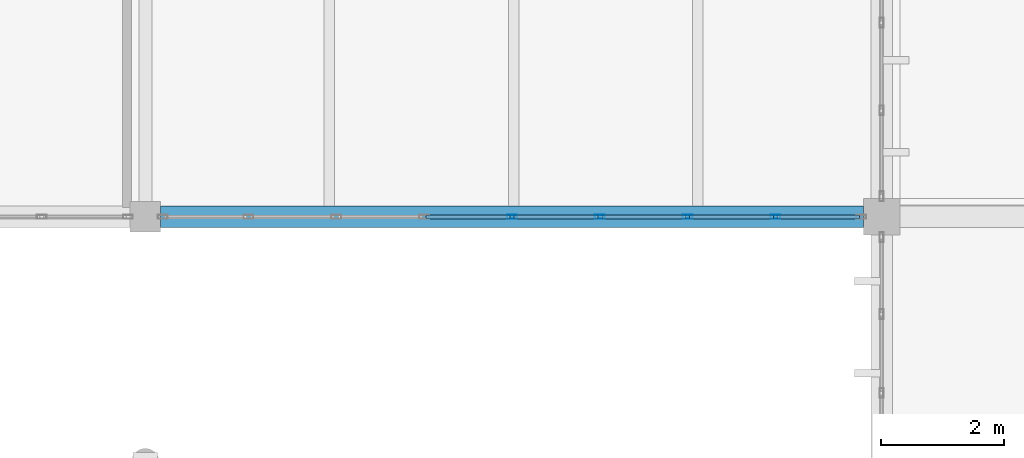
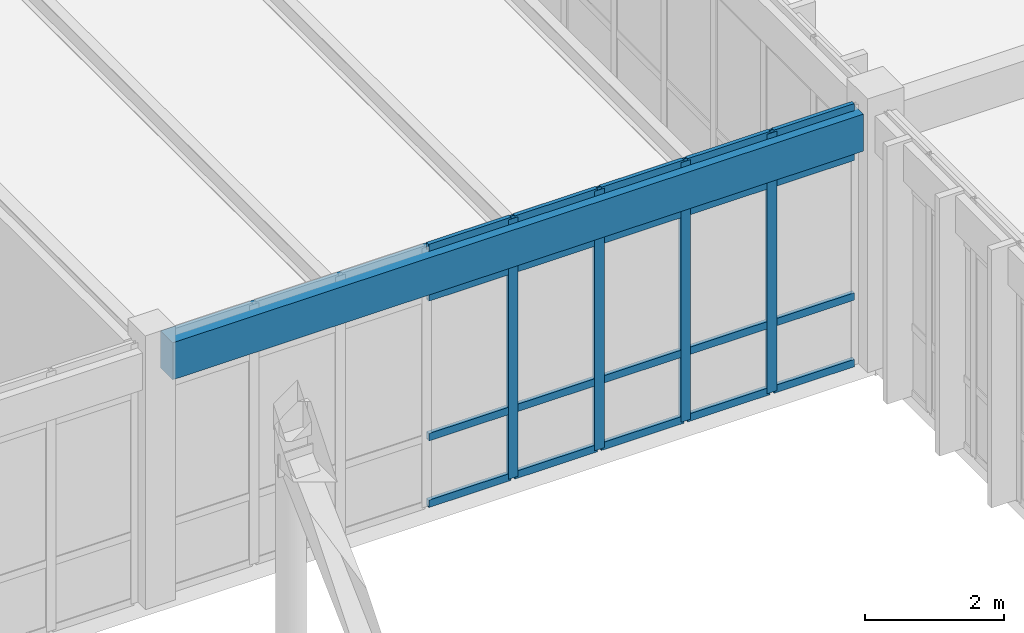
# One storey, part 172 of 236: 24 members, 1 beam, 1 element without a shape of its own.
"""IFC4 building model written with IfcOpenShell, lengths in metres."""

from ifc_helpers import new_model, si_unit, direction, frame, origin, origin_2d, place, context, subcontext, project, spatial, rectangle, hollow_rectangle, extrude, material, layer, layer_set, material_profile, profile_set, type_object, element, aggregate, save


model = new_model("IFC4")

# Units and contexts
model_context = context("Model", 3, precision=1e-05, world=origin(), true_north=direction((0.0, 1.0)))
body_context = subcontext(model_context, "Body", "Model", "MODEL_VIEW")
ifc_project = project(units=[si_unit("LENGTHUNIT", "METRE"), si_unit("AREAUNIT", "SQUARE_METRE"), si_unit("VOLUMEUNIT", "CUBIC_METRE"), si_unit("PLANEANGLEUNIT", "RADIAN"), si_unit("MASSUNIT", "GRAM", prefix="KILO")], contexts=[model_context])

# Site, building, storey
site_placement = place(None, origin())
site = spatial("IfcSite", under=ifc_project, at=site_placement, CompositionType="ELEMENT")
building_placement = place(site_placement, origin())
building = spatial("IfcBuilding", under=site, at=building_placement, Name="Pandanus Reach Market Hall", CompositionType="ELEMENT")
storey_placement = place(building_placement, frame((0.0, 0.0, 5.39990234375)))
storey = spatial("IfcBuildingStorey", under=building, at=storey_placement, Name="L01", CompositionType="ELEMENT", Elevation=5.39990234375)

# Beam
ifc_material_1 = material(Name="Concrete N40 (40 MPa)", Category="concrete")
ifc_material_profile_1 = material_profile(ifc_material_1, rectangle(XDim=0.35009765625, YDim=0.64990234375, at=origin_2d()), Name="RC350x650", Category="LoadBearing")
ifc_profile_set_1 = profile_set([ifc_material_profile_1], Name="Concrete N40 (40 MPa)")
beam_type = type_object("IfcBeamType", Name="BM-RC350-E", PredefinedType="SPANDREL", material=ifc_profile_set_1)
beam_placement = place(storey_placement, frame((132.248046875, 96.0, 4.135009765625), z_axis=(1.0, 0.0, 0.0), x_axis=(0.0, 1.0, 0.0)))
element("IfcBeam", 1, at=beam_placement, inside=storey, type_object=beam_type, Name="Framing beam BM-RC350-E L01.854", PredefinedType="SPANDREL", context=body_context, shape_type="SweptSolid", body=[
    extrude(rectangle(XDim=0.35009765625, YDim=0.64990234375, at=origin_2d()), origin(), (0.0, 0.0, 1.0), 11.453857421875),
])

# Curtain wall, members
ifc_material_2 = material(Name="Bronze anodised aluminium and low-E glass", Category="aluminium")
ifc_layer = layer(ifc_material_2, 0.159912109375, Name="CW-40")
ifc_layer_set = layer_set([ifc_layer], Name="Bronze anodised aluminium and low-E glass")
curtain_wall_type = type_object("IfcCurtainWallType", Name="CW-40", PredefinedType="NOTDEFINED", material=ifc_layer_set)
curtain_wall_placement = place(storey_placement, origin())
curtain_wall = element("IfcCurtainWall", 2, at=curtain_wall_placement, inside=storey, type_object=curtain_wall_type, Name="Glazed curtain wall CW-40 CW-0145", PredefinedType="NOTDEFINED")
ifc_material_3 = material(Name="Bronze anodised aluminium", Category="aluminium")
ifc_material_profile_2 = material_profile(ifc_material_3, hollow_rectangle(XDim=0.06494140625, YDim=0.159912109375, WallThickness=0.00390625, at=origin_2d()), Name="ALU65x160", Category="LoadBearing")
ifc_profile_set_2 = profile_set([ifc_material_profile_2], Name="Bronze anodised aluminium")
member_type_1 = type_object("IfcMemberType", Name="CW-M1", PredefinedType="MULLION", material=ifc_profile_set_2)
member_1_placement = place(storey_placement, frame((137.97509765625, 96.0, 0.0), z_axis=(0.0, 0.0, 1.0), x_axis=(0.0, 1.0, 0.0)))
member_1 = element("IfcMember", 3, at=member_1_placement, type_object=member_type_1, Name="CW-40 mullion 5", PredefinedType="MULLION", context=body_context, shape_type="SweptSolid", body=[
    extrude(hollow_rectangle(XDim=0.06494140625, YDim=0.159912109375, WallThickness=0.00390625, at=origin_2d()), origin(), (0.0, 0.0, 1.0), 4.550048828125),
])
member_2_placement = place(storey_placement, frame((139.40625, 96.0, 0.0), z_axis=(0.0, 0.0, 1.0), x_axis=(0.0, 1.0, 0.0)))
member_2 = element("IfcMember", 4, at=member_2_placement, type_object=member_type_1, Name="CW-40 mullion 6", PredefinedType="MULLION", context=body_context, shape_type="SweptSolid", body=[
    extrude(hollow_rectangle(XDim=0.06494140625, YDim=0.159912109375, WallThickness=0.00390625, at=origin_2d()), origin(), (0.0, 0.0, 1.0), 4.550048828125),
])
member_3_placement = place(storey_placement, frame((140.83740234375, 96.0, 0.0), z_axis=(0.0, 0.0, 1.0), x_axis=(0.0, 1.0, 0.0)))
member_3 = element("IfcMember", 5, at=member_3_placement, type_object=member_type_1, Name="CW-40 mullion 7", PredefinedType="MULLION", context=body_context, shape_type="SweptSolid", body=[
    extrude(hollow_rectangle(XDim=0.06494140625, YDim=0.159912109375, WallThickness=0.00390625, at=origin_2d()), origin(), (0.0, 0.0, 1.0), 4.550048828125),
])
member_4_placement = place(storey_placement, frame((142.268798828125, 96.0, 0.0), z_axis=(0.0, 0.0, 1.0), x_axis=(0.0, 1.0, 0.0)))
member_4 = element("IfcMember", 6, at=member_4_placement, type_object=member_type_1, Name="CW-40 mullion 8", PredefinedType="MULLION", context=body_context, shape_type="SweptSolid", body=[
    extrude(hollow_rectangle(XDim=0.06494140625, YDim=0.159912109375, WallThickness=0.00390625, at=origin_2d()), origin(), (0.0, 0.0, 1.0), 4.550048828125),
])
ifc_material_profile_3 = material_profile(ifc_material_3, hollow_rectangle(XDim=0.06494140625, YDim=0.1298828125, WallThickness=0.00390625, at=origin_2d()), Name="ALU65x130", Category="LoadBearing")
ifc_profile_set_3 = profile_set([ifc_material_profile_3], Name="Bronze anodised aluminium")
member_type_2 = type_object("IfcMemberType", Name="CW-T1", PredefinedType="USERDEFINED", material=ifc_profile_set_3)
member_5_placement = place(storey_placement, frame((136.576171875, 96.0, 0.03271484375), z_axis=(1.0, 0.0, 0.0), x_axis=(0.0, 1.0, 0.0)))
member_5 = element("IfcMember", 7, at=member_5_placement, type_object=member_type_2, Name="CW-40 transom 4.1", ObjectType="TRANSOM", PredefinedType="USERDEFINED", context=body_context, shape_type="SweptSolid", body=[
    extrude(hollow_rectangle(XDim=0.06494140625, YDim=0.1298828125, WallThickness=0.00390625, at=origin_2d()), origin(), (0.0, 0.0, 1.0), 1.3662109375),
])
member_6_placement = place(storey_placement, frame((136.576171875, 96.0, 1.2001953125), z_axis=(1.0, 0.0, 0.0), x_axis=(0.0, 1.0, 0.0)))
member_6 = element("IfcMember", 8, at=member_6_placement, type_object=member_type_2, Name="CW-40 transom 4.2", ObjectType="TRANSOM", PredefinedType="USERDEFINED", context=body_context, shape_type="SweptSolid", body=[
    extrude(hollow_rectangle(XDim=0.06494140625, YDim=0.1298828125, WallThickness=0.00390625, at=origin_2d()), origin(), (0.0, 0.0, 1.0), 1.3662109375),
])
member_7_placement = place(storey_placement, frame((136.576171875, 96.0, 3.650146484375), z_axis=(1.0, 0.0, 0.0), x_axis=(0.0, 1.0, 0.0)))
member_7 = element("IfcMember", 9, at=member_7_placement, type_object=member_type_2, Name="CW-40 transom 4.3", ObjectType="TRANSOM", PredefinedType="USERDEFINED", context=body_context, shape_type="SweptSolid", body=[
    extrude(hollow_rectangle(XDim=0.06494140625, YDim=0.1298828125, WallThickness=0.00390625, at=origin_2d()), origin(), (0.0, 0.0, 1.0), 1.3662109375),
])
member_8_placement = place(storey_placement, frame((136.576171875, 96.0, 4.517578125), z_axis=(1.0, 0.0, 0.0), x_axis=(0.0, 1.0, 0.0)))
member_8 = element("IfcMember", 10, at=member_8_placement, type_object=member_type_2, Name="CW-40 transom 4.4", ObjectType="TRANSOM", PredefinedType="USERDEFINED", context=body_context, shape_type="SweptSolid", body=[
    extrude(hollow_rectangle(XDim=0.06494140625, YDim=0.1298828125, WallThickness=0.00390625, at=origin_2d()), origin(), (0.0, 0.0, 1.0), 1.3662109375),
])
member_9_placement = place(storey_placement, frame((138.007568359375, 96.0, 0.03271484375), z_axis=(1.0, 0.0, 0.0), x_axis=(0.0, 1.0, 0.0)))
member_9 = element("IfcMember", 11, at=member_9_placement, type_object=member_type_2, Name="CW-40 transom 5.1", ObjectType="TRANSOM", PredefinedType="USERDEFINED", context=body_context, shape_type="SweptSolid", body=[
    extrude(hollow_rectangle(XDim=0.06494140625, YDim=0.1298828125, WallThickness=0.00390625, at=origin_2d()), origin(), (0.0, 0.0, 1.0), 1.3662109375),
])
member_10_placement = place(storey_placement, frame((138.007568359375, 96.0, 1.2001953125), z_axis=(1.0, 0.0, 0.0), x_axis=(0.0, 1.0, 0.0)))
member_10 = element("IfcMember", 12, at=member_10_placement, type_object=member_type_2, Name="CW-40 transom 5.2", ObjectType="TRANSOM", PredefinedType="USERDEFINED", context=body_context, shape_type="SweptSolid", body=[
    extrude(hollow_rectangle(XDim=0.06494140625, YDim=0.1298828125, WallThickness=0.00390625, at=origin_2d()), origin(), (0.0, 0.0, 1.0), 1.3662109375),
])
member_11_placement = place(storey_placement, frame((138.007568359375, 96.0, 3.650146484375), z_axis=(1.0, 0.0, 0.0), x_axis=(0.0, 1.0, 0.0)))
member_11 = element("IfcMember", 13, at=member_11_placement, type_object=member_type_2, Name="CW-40 transom 5.3", ObjectType="TRANSOM", PredefinedType="USERDEFINED", context=body_context, shape_type="SweptSolid", body=[
    extrude(hollow_rectangle(XDim=0.06494140625, YDim=0.1298828125, WallThickness=0.00390625, at=origin_2d()), origin(), (0.0, 0.0, 1.0), 1.3662109375),
])
member_12_placement = place(storey_placement, frame((138.007568359375, 96.0, 4.517578125), z_axis=(1.0, 0.0, 0.0), x_axis=(0.0, 1.0, 0.0)))
member_12 = element("IfcMember", 14, at=member_12_placement, type_object=member_type_2, Name="CW-40 transom 5.4", ObjectType="TRANSOM", PredefinedType="USERDEFINED", context=body_context, shape_type="SweptSolid", body=[
    extrude(hollow_rectangle(XDim=0.06494140625, YDim=0.1298828125, WallThickness=0.00390625, at=origin_2d()), origin(), (0.0, 0.0, 1.0), 1.3662109375),
])
member_13_placement = place(storey_placement, frame((139.438720703125, 96.0, 0.03271484375), z_axis=(1.0, 0.0, 0.0), x_axis=(0.0, 1.0, 0.0)))
member_13 = element("IfcMember", 15, at=member_13_placement, type_object=member_type_2, Name="CW-40 transom 6.1", ObjectType="TRANSOM", PredefinedType="USERDEFINED", context=body_context, shape_type="SweptSolid", body=[
    extrude(hollow_rectangle(XDim=0.06494140625, YDim=0.1298828125, WallThickness=0.00390625, at=origin_2d()), origin(), (0.0, 0.0, 1.0), 1.3662109375),
])
member_14_placement = place(storey_placement, frame((139.438720703125, 96.0, 1.2001953125), z_axis=(1.0, 0.0, 0.0), x_axis=(0.0, 1.0, 0.0)))
member_14 = element("IfcMember", 16, at=member_14_placement, type_object=member_type_2, Name="CW-40 transom 6.2", ObjectType="TRANSOM", PredefinedType="USERDEFINED", context=body_context, shape_type="SweptSolid", body=[
    extrude(hollow_rectangle(XDim=0.06494140625, YDim=0.1298828125, WallThickness=0.00390625, at=origin_2d()), origin(), (0.0, 0.0, 1.0), 1.3662109375),
])
member_15_placement = place(storey_placement, frame((139.438720703125, 96.0, 3.650146484375), z_axis=(1.0, 0.0, 0.0), x_axis=(0.0, 1.0, 0.0)))
member_15 = element("IfcMember", 17, at=member_15_placement, type_object=member_type_2, Name="CW-40 transom 6.3", ObjectType="TRANSOM", PredefinedType="USERDEFINED", context=body_context, shape_type="SweptSolid", body=[
    extrude(hollow_rectangle(XDim=0.06494140625, YDim=0.1298828125, WallThickness=0.00390625, at=origin_2d()), origin(), (0.0, 0.0, 1.0), 1.3662109375),
])
member_16_placement = place(storey_placement, frame((139.438720703125, 96.0, 4.517578125), z_axis=(1.0, 0.0, 0.0), x_axis=(0.0, 1.0, 0.0)))
member_16 = element("IfcMember", 18, at=member_16_placement, type_object=member_type_2, Name="CW-40 transom 6.4", ObjectType="TRANSOM", PredefinedType="USERDEFINED", context=body_context, shape_type="SweptSolid", body=[
    extrude(hollow_rectangle(XDim=0.06494140625, YDim=0.1298828125, WallThickness=0.00390625, at=origin_2d()), origin(), (0.0, 0.0, 1.0), 1.3662109375),
])
member_17_placement = place(storey_placement, frame((140.8701171875, 96.0, 0.03271484375), z_axis=(1.0, 0.0, 0.0), x_axis=(0.0, 1.0, 0.0)))
member_17 = element("IfcMember", 19, at=member_17_placement, type_object=member_type_2, Name="CW-40 transom 7.1", ObjectType="TRANSOM", PredefinedType="USERDEFINED", context=body_context, shape_type="SweptSolid", body=[
    extrude(hollow_rectangle(XDim=0.06494140625, YDim=0.1298828125, WallThickness=0.00390625, at=origin_2d()), origin(), (0.0, 0.0, 1.0), 1.3662109375),
])
member_18_placement = place(storey_placement, frame((140.8701171875, 96.0, 1.2001953125), z_axis=(1.0, 0.0, 0.0), x_axis=(0.0, 1.0, 0.0)))
member_18 = element("IfcMember", 20, at=member_18_placement, type_object=member_type_2, Name="CW-40 transom 7.2", ObjectType="TRANSOM", PredefinedType="USERDEFINED", context=body_context, shape_type="SweptSolid", body=[
    extrude(hollow_rectangle(XDim=0.06494140625, YDim=0.1298828125, WallThickness=0.00390625, at=origin_2d()), origin(), (0.0, 0.0, 1.0), 1.3662109375),
])
member_19_placement = place(storey_placement, frame((140.8701171875, 96.0, 3.650146484375), z_axis=(1.0, 0.0, 0.0), x_axis=(0.0, 1.0, 0.0)))
member_19 = element("IfcMember", 21, at=member_19_placement, type_object=member_type_2, Name="CW-40 transom 7.3", ObjectType="TRANSOM", PredefinedType="USERDEFINED", context=body_context, shape_type="SweptSolid", body=[
    extrude(hollow_rectangle(XDim=0.06494140625, YDim=0.1298828125, WallThickness=0.00390625, at=origin_2d()), origin(), (0.0, 0.0, 1.0), 1.3662109375),
])
member_20_placement = place(storey_placement, frame((140.8701171875, 96.0, 4.517578125), z_axis=(1.0, 0.0, 0.0), x_axis=(0.0, 1.0, 0.0)))
member_20 = element("IfcMember", 22, at=member_20_placement, type_object=member_type_2, Name="CW-40 transom 7.4", ObjectType="TRANSOM", PredefinedType="USERDEFINED", context=body_context, shape_type="SweptSolid", body=[
    extrude(hollow_rectangle(XDim=0.06494140625, YDim=0.1298828125, WallThickness=0.00390625, at=origin_2d()), origin(), (0.0, 0.0, 1.0), 1.3662109375),
])
member_21_placement = place(storey_placement, frame((142.30126953125, 96.0, 0.03271484375), z_axis=(1.0, 0.0, 0.0), x_axis=(0.0, 1.0, 0.0)))
member_21 = element("IfcMember", 23, at=member_21_placement, type_object=member_type_2, Name="CW-40 transom 8.1", ObjectType="TRANSOM", PredefinedType="USERDEFINED", context=body_context, shape_type="SweptSolid", body=[
    extrude(hollow_rectangle(XDim=0.06494140625, YDim=0.1298828125, WallThickness=0.00390625, at=origin_2d()), origin(), (0.0, 0.0, 1.0), 1.333740234375),
])
member_22_placement = place(storey_placement, frame((142.30126953125, 96.0, 1.2001953125), z_axis=(1.0, 0.0, 0.0), x_axis=(0.0, 1.0, 0.0)))
member_22 = element("IfcMember", 24, at=member_22_placement, type_object=member_type_2, Name="CW-40 transom 8.2", ObjectType="TRANSOM", PredefinedType="USERDEFINED", context=body_context, shape_type="SweptSolid", body=[
    extrude(hollow_rectangle(XDim=0.06494140625, YDim=0.1298828125, WallThickness=0.00390625, at=origin_2d()), origin(), (0.0, 0.0, 1.0), 1.333740234375),
])
member_23_placement = place(storey_placement, frame((142.30126953125, 96.0, 3.650146484375), z_axis=(1.0, 0.0, 0.0), x_axis=(0.0, 1.0, 0.0)))
member_23 = element("IfcMember", 25, at=member_23_placement, type_object=member_type_2, Name="CW-40 transom 8.3", ObjectType="TRANSOM", PredefinedType="USERDEFINED", context=body_context, shape_type="SweptSolid", body=[
    extrude(hollow_rectangle(XDim=0.06494140625, YDim=0.1298828125, WallThickness=0.00390625, at=origin_2d()), origin(), (0.0, 0.0, 1.0), 1.333740234375),
])
member_24_placement = place(storey_placement, frame((142.30126953125, 96.0, 4.517578125), z_axis=(1.0, 0.0, 0.0), x_axis=(0.0, 1.0, 0.0)))
member_24 = element("IfcMember", 26, at=member_24_placement, type_object=member_type_2, Name="CW-40 transom 8.4", ObjectType="TRANSOM", PredefinedType="USERDEFINED", context=body_context, shape_type="SweptSolid", body=[
    extrude(hollow_rectangle(XDim=0.06494140625, YDim=0.1298828125, WallThickness=0.00390625, at=origin_2d()), origin(), (0.0, 0.0, 1.0), 1.333740234375),
])
aggregate(curtain_wall, [member_1, member_2, member_3, member_4, member_5, member_6, member_7, member_8, member_9, member_10, member_11, member_12, member_13, member_14, member_15, member_16, member_17, member_18, member_19, member_20, member_21, member_22, member_23, member_24])

save(model, "model.ifc")
